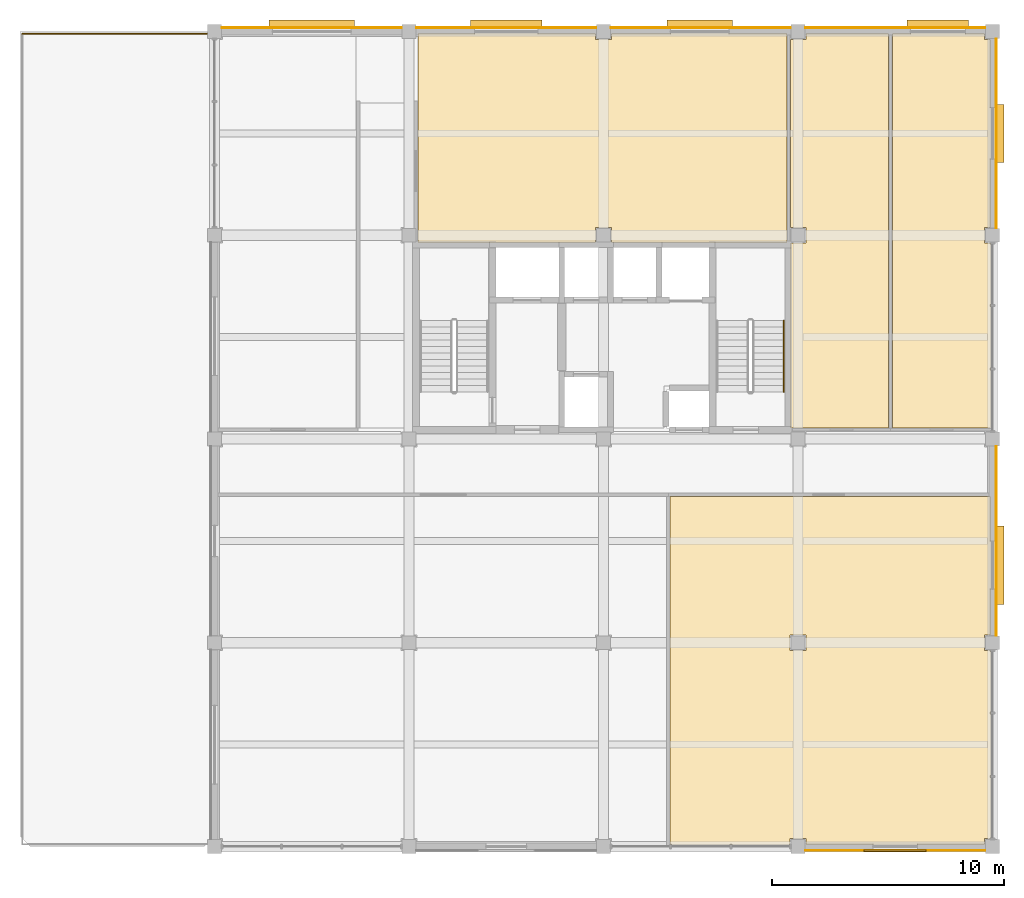
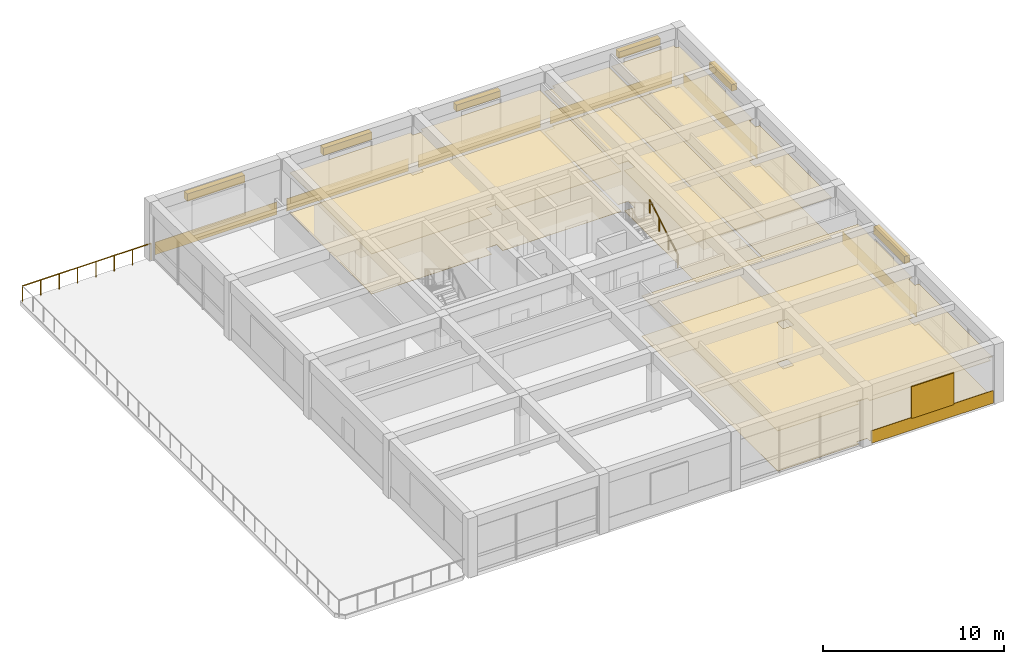
# One storey, part 10 of 10: 15 coverings, 7 shading devices, 2 railings.
"""IFC4 building model written with IfcOpenShell, lengths in metres."""

from ifc_helpers import new_model, si_unit, direction, frame, origin, origin_2d, place, context, subcontext, project, spatial, polyline, rectangle, circle, outline, extrude, material, layer, layer_set, type_object, element, save


model = new_model("IFC4")

# Units and contexts
model_context = context("Model", 3, precision=1e-05, world=origin(), true_north=direction((0.0, 1.0)))
body_context = subcontext(model_context, "Body", "Model", "MODEL_VIEW")
ifc_project = project(units=[si_unit("LENGTHUNIT", "METRE"), si_unit("AREAUNIT", "SQUARE_METRE"), si_unit("VOLUMEUNIT", "CUBIC_METRE"), si_unit("PLANEANGLEUNIT", "RADIAN"), si_unit("MASSUNIT", "GRAM", prefix="KILO")], contexts=[model_context])

# Site, building, storey
site_placement = place(None, origin())
site = spatial("IfcSite", under=ifc_project, at=site_placement, CompositionType="ELEMENT")
building_placement = place(site_placement, origin())
building = spatial("IfcBuilding", under=site, at=building_placement, Name="Kemercrest Conservatory and Botanical Centre", CompositionType="ELEMENT")
storey_placement = place(building_placement, frame((0.0, 0.0, 48.199951171875)))
storey = spatial("IfcBuildingStorey", under=building, at=storey_placement, Name="L12", CompositionType="ELEMENT", Elevation=48.199951171875)

# Coverings
ifc_material_1 = material(Name="Glazed turquoise ceramic tile spandrel", Category="masonry")
ifc_layer_1 = layer(ifc_material_1, 0.028076171875)
ifc_layer_set_1 = layer_set([ifc_layer_1], Name="Glazed turquoise ceramic tile spandrel")
covering_type_1 = type_object("IfcCoveringType", Name="CV-CLD028", PredefinedType="CLADDING", material=ifc_layer_set_1)
covering_1_placement = place(storey_placement, origin())
element("IfcCovering", 1, at=covering_1_placement, inside=storey, type_object=covering_type_1, Name="Exterior stone spandrel cladding (WAL:L12:EXT-313)", PredefinedType="CLADDING", context=body_context, shape_type="SweptSolid", body=[
    extrude(outline(polyline([(167.909912109375, 87.050048828125), (167.909912109375, 87.02197265625), (175.68994140625, 87.02197265625), (175.68994140625, 87.050048828125), (167.909912109375, 87.050048828125)])), origin(), (0.0, 0.0, 1.0), 0.85009765625),
])
covering_2_placement = place(storey_placement, origin())
element("IfcCovering", 2, at=covering_2_placement, inside=storey, type_object=covering_type_1, Name="Exterior stone spandrel cladding (WAL:L12:EXT-314)", PredefinedType="CLADDING", context=body_context, shape_type="SweptSolid", body=[
    extrude(outline(polyline([(176.14990234375, 96.31005859375), (176.177978515625, 96.31005859375), (176.177978515625, 104.489990234375), (176.14990234375, 104.489990234375), (176.14990234375, 96.31005859375)])), origin(), (0.0, 0.0, 1.0), 0.85009765625),
])
covering_3_placement = place(storey_placement, origin())
element("IfcCovering", 3, at=covering_3_placement, inside=storey, type_object=covering_type_1, Name="Exterior stone spandrel cladding (WAL:L12:EXT-315)", PredefinedType="CLADDING", context=body_context, shape_type="SweptSolid", body=[
    extrude(outline(polyline([(176.14990234375, 113.909912109375), (176.177978515625, 113.909912109375), (176.177978515625, 122.090087890625), (176.14990234375, 122.090087890625), (176.14990234375, 113.909912109375)])), origin(), (0.0, 0.0, 1.0), 0.85009765625),
])
covering_4_placement = place(storey_placement, origin())
element("IfcCovering", 4, at=covering_4_placement, inside=storey, type_object=covering_type_1, Name="Exterior stone spandrel cladding (WAL:L12:EXT-316)", PredefinedType="CLADDING", context=body_context, shape_type="SweptSolid", body=[
    extrude(outline(polyline([(175.68994140625, 122.550048828125), (175.68994140625, 122.577880859375), (167.909912109375, 122.577880859375), (167.909912109375, 122.550048828125), (175.68994140625, 122.550048828125)])), origin(), (0.0, 0.0, 1.0), 0.85009765625),
])
covering_5_placement = place(storey_placement, origin())
element("IfcCovering", 5, at=covering_5_placement, inside=storey, type_object=covering_type_1, Name="Exterior stone spandrel cladding (WAL:L12:EXT-317)", PredefinedType="CLADDING", context=body_context, shape_type="SweptSolid", body=[
    extrude(outline(polyline([(167.2900390625, 122.550048828125), (167.2900390625, 122.577880859375), (159.510009765625, 122.577880859375), (159.510009765625, 122.550048828125), (167.2900390625, 122.550048828125)])), origin(), (0.0, 0.0, 1.0), 0.85009765625),
])
covering_6_placement = place(storey_placement, origin())
element("IfcCovering", 6, at=covering_6_placement, inside=storey, type_object=covering_type_1, Name="Exterior stone spandrel cladding (WAL:L12:EXT-318)", PredefinedType="CLADDING", context=body_context, shape_type="SweptSolid", body=[
    extrude(outline(polyline([(158.889892578125, 122.550048828125), (158.889892578125, 122.577880859375), (151.110107421875, 122.577880859375), (151.110107421875, 122.550048828125), (158.889892578125, 122.550048828125)])), origin(), (0.0, 0.0, 1.0), 0.85009765625),
])
covering_7_placement = place(storey_placement, origin())
element("IfcCovering", 7, at=covering_7_placement, inside=storey, type_object=covering_type_1, Name="Exterior stone spandrel cladding (WAL:L12:EXT-319)", PredefinedType="CLADDING", context=body_context, shape_type="SweptSolid", body=[
    extrude(outline(polyline([(150.489990234375, 122.550048828125), (150.489990234375, 122.577880859375), (142.7099609375, 122.577880859375), (142.7099609375, 122.550048828125), (150.489990234375, 122.550048828125)])), origin(), (0.0, 0.0, 1.0), 0.85009765625),
])
ifc_material_2 = material(Name="Perforated acoustic gypsum and mineral-fibre suspended ceiling", Category="gypsum")
ifc_layer_2 = layer(ifc_material_2, 0.034912109375)
ifc_layer_set_2 = layer_set([ifc_layer_2], Name="Perforated acoustic gypsum and mineral-fibre suspended ceiling")
covering_type_2 = type_object("IfcCoveringType", Name="CV-CLG035", PredefinedType="CEILING", material=ifc_layer_set_2)
covering_8_placement = place(storey_placement, frame((0.0, 0.0, 2.699951171875)))
element("IfcCovering", 8, at=covering_8_placement, inside=storey, type_object=covering_type_2, Name="Visiting Fellows Lounge suspended acoustic ceiling", PredefinedType="CEILING", context=body_context, shape_type="SweptSolid", body=[
    extrude(outline(polyline([(167.260009765625, 87.5400390625), (167.93994140625, 87.5400390625), (167.93994140625, 87.280029296875), (175.659912109375, 87.280029296875), (175.659912109375, 87.5400390625), (175.919921875, 87.5400390625), (175.919921875, 95.659912109375), (175.659912109375, 95.659912109375), (175.659912109375, 96.340087890625), (175.919921875, 96.340087890625), (175.919921875, 102.320068359375), (162.080078125, 102.320068359375), (162.080078125, 87.280029296875), (167.260009765625, 87.280029296875), (167.260009765625, 87.5400390625)]), holes=[polyline([(167.260009765625, 96.340087890625), (167.93994140625, 96.340087890625), (167.93994140625, 95.659912109375), (167.260009765625, 95.659912109375), (167.260009765625, 96.340087890625)])]), origin(), (0.0, 0.0, 1.0), 0.03515625),
])
covering_9_placement = place(storey_placement, frame((0.0, 0.0, 2.699951171875)))
element("IfcCovering", 9, at=covering_9_placement, inside=storey, type_object=covering_type_2, Name="Fellowship Director Office suspended acoustic ceiling", PredefinedType="CEILING", context=body_context, shape_type="SweptSolid", body=[
    extrude(outline(polyline([(159.5400390625, 113.280029296875), (167.1201171875, 113.280029296875), (167.1201171875, 122.320068359375), (159.5400390625, 122.320068359375), (159.5400390625, 122.06005859375), (158.860107421875, 122.06005859375), (158.860107421875, 122.320068359375), (151.179931640625, 122.320068359375), (151.179931640625, 113.280029296875), (158.860107421875, 113.280029296875), (158.860107421875, 113.93994140625), (159.5400390625, 113.93994140625), (159.5400390625, 113.280029296875)])), origin(), (0.0, 0.0, 1.0), 0.03515625),
])
covering_10_placement = place(storey_placement, frame((0.0, 0.0, 2.699951171875)))
element("IfcCovering", 10, at=covering_10_placement, inside=storey, type_object=covering_type_2, Name="Public Washroom suspended acoustic ceiling", PredefinedType="CEILING", context=body_context, shape_type="SweptSolid", body=[
    extrude(outline(polyline([(167.280029296875, 105.280029296875), (171.52001953125, 105.280029296875), (171.52001953125, 122.320068359375), (167.93994140625, 122.320068359375), (167.93994140625, 122.06005859375), (167.280029296875, 122.06005859375), (167.280029296875, 113.93994140625), (167.93994140625, 113.93994140625), (167.93994140625, 113.260009765625), (167.280029296875, 113.260009765625), (167.280029296875, 105.280029296875)])), origin(), (0.0, 0.0, 1.0), 0.03515625),
])
covering_11_placement = place(storey_placement, frame((0.0, 0.0, 2.699951171875)))
element("IfcCovering", 11, at=covering_11_placement, inside=storey, type_object=covering_type_2, Name="Accessible Washroom suspended acoustic ceiling", PredefinedType="CEILING", context=body_context, shape_type="SweptSolid", body=[
    extrude(outline(polyline([(171.679931640625, 105.280029296875), (175.919921875, 105.280029296875), (175.919921875, 113.260009765625), (175.659912109375, 113.260009765625), (175.659912109375, 113.93994140625), (175.919921875, 113.93994140625), (175.919921875, 122.06005859375), (175.659912109375, 122.06005859375), (175.659912109375, 122.320068359375), (171.679931640625, 122.320068359375), (171.679931640625, 105.280029296875)])), origin(), (0.0, 0.0, 1.0), 0.03515625),
])
ifc_material_3 = material(Name="Polished limestone terrazzo and seamless laboratory epoxy flooring", Category="masonry")
ifc_layer_3 = layer(ifc_material_3, 0.02001953125)
ifc_layer_set_3 = layer_set([ifc_layer_3], Name="Polished limestone terrazzo and seamless laboratory epoxy flooring")
covering_type_3 = type_object("IfcCoveringType", Name="CV-FLR020", PredefinedType="FLOORING", material=ifc_layer_set_3)
covering_12_placement = place(storey_placement, origin())
element("IfcCovering", 12, at=covering_12_placement, inside=storey, type_object=covering_type_3, Name="Visiting Fellows Lounge floor finish", PredefinedType="FLOORING", context=body_context, shape_type="SweptSolid", body=[
    extrude(outline(polyline([(167.260009765625, 87.5400390625), (167.93994140625, 87.5400390625), (167.93994140625, 87.280029296875), (175.659912109375, 87.280029296875), (175.659912109375, 87.5400390625), (175.919921875, 87.5400390625), (175.919921875, 95.659912109375), (175.659912109375, 95.659912109375), (175.659912109375, 96.340087890625), (175.919921875, 96.340087890625), (175.919921875, 102.320068359375), (162.080078125, 102.320068359375), (162.080078125, 87.280029296875), (167.260009765625, 87.280029296875), (167.260009765625, 87.5400390625)]), holes=[polyline([(167.260009765625, 96.340087890625), (167.93994140625, 96.340087890625), (167.93994140625, 95.659912109375), (167.260009765625, 95.659912109375), (167.260009765625, 96.340087890625)])]), origin(), (0.0, 0.0, 1.0), 0.02001953125),
])
covering_13_placement = place(storey_placement, origin())
element("IfcCovering", 13, at=covering_13_placement, inside=storey, type_object=covering_type_3, Name="Fellowship Director Office floor finish", PredefinedType="FLOORING", context=body_context, shape_type="SweptSolid", body=[
    extrude(outline(polyline([(159.5400390625, 113.280029296875), (167.1201171875, 113.280029296875), (167.1201171875, 122.320068359375), (159.5400390625, 122.320068359375), (159.5400390625, 122.06005859375), (158.860107421875, 122.06005859375), (158.860107421875, 122.320068359375), (151.179931640625, 122.320068359375), (151.179931640625, 113.280029296875), (158.860107421875, 113.280029296875), (158.860107421875, 113.93994140625), (159.5400390625, 113.93994140625), (159.5400390625, 113.280029296875)])), origin(), (0.0, 0.0, 1.0), 0.02001953125),
])
covering_14_placement = place(storey_placement, origin())
element("IfcCovering", 14, at=covering_14_placement, inside=storey, type_object=covering_type_3, Name="Public Washroom floor finish", PredefinedType="FLOORING", context=body_context, shape_type="SweptSolid", body=[
    extrude(outline(polyline([(167.280029296875, 105.280029296875), (171.52001953125, 105.280029296875), (171.52001953125, 122.320068359375), (167.93994140625, 122.320068359375), (167.93994140625, 122.06005859375), (167.280029296875, 122.06005859375), (167.280029296875, 113.93994140625), (167.93994140625, 113.93994140625), (167.93994140625, 113.260009765625), (167.280029296875, 113.260009765625), (167.280029296875, 105.280029296875)])), origin(), (0.0, 0.0, 1.0), 0.02001953125),
])
covering_15_placement = place(storey_placement, origin())
element("IfcCovering", 15, at=covering_15_placement, inside=storey, type_object=covering_type_3, Name="Accessible Washroom floor finish", PredefinedType="FLOORING", context=body_context, shape_type="SweptSolid", body=[
    extrude(outline(polyline([(171.679931640625, 105.280029296875), (175.919921875, 105.280029296875), (175.919921875, 113.260009765625), (175.659912109375, 113.260009765625), (175.659912109375, 113.93994140625), (175.919921875, 113.93994140625), (175.919921875, 122.06005859375), (175.659912109375, 122.06005859375), (175.659912109375, 122.320068359375), (171.679931640625, 122.320068359375), (171.679931640625, 105.280029296875)])), origin(), (0.0, 0.0, 1.0), 0.02001953125),
])

# Railings
ifc_material_4 = material(Name="Architectural bronze-anodized steel balustrade", Category="steel")
railing_type_1 = type_object("IfcRailingType", Name="GR-TER110", PredefinedType="GUARDRAIL", material=ifc_material_4)
railing_1_placement = place(storey_placement, frame((134.10009765625, 122.300048828125, 0.0)))
element("IfcRailing", 16, at=railing_1_placement, inside=storey, type_object=railing_type_1, Name="Safety guardrail GR-TER110 (V4-L12W-3)", PredefinedType="GUARDRAIL", context=body_context, shape_type="SweptSolid", body=[
    extrude(circle(Radius=0.02392578125, at=origin_2d()), frame((0.0, 0.0, 1.076171875), z_axis=(1.0, 0.0, 0.0), x_axis=(0.0, 1.0, 0.0)), (0.0, 0.0, 1.0), 8.199951171875),
    extrude(circle(Radius=0.02099609375, at=origin_2d()), origin(), (0.0, 0.0, 1.0), 1.052001953125),
    extrude(circle(Radius=0.02099609375, at=origin_2d()), frame((1.17138671875, 0.0, 0.0)), (0.0, 0.0, 1.0), 1.052001953125),
    extrude(circle(Radius=0.02099609375, at=origin_2d()), frame((2.3427734375, 0.0, 0.0)), (0.0, 0.0, 1.0), 1.052001953125),
    extrude(circle(Radius=0.02099609375, at=origin_2d()), frame((3.51416015625, 0.0, 0.0)), (0.0, 0.0, 1.0), 1.052001953125),
    extrude(circle(Radius=0.02099609375, at=origin_2d()), frame((4.685791015625, 0.0, 0.0)), (0.0, 0.0, 1.0), 1.052001953125),
    extrude(circle(Radius=0.02099609375, at=origin_2d()), frame((5.857177734375, 0.0, 0.0)), (0.0, 0.0, 1.0), 1.052001953125),
    extrude(circle(Radius=0.02099609375, at=origin_2d()), frame((7.028564453125, 0.0, 0.0)), (0.0, 0.0, 1.0), 1.052001953125),
    extrude(circle(Radius=0.02099609375, at=origin_2d()), frame((8.199951171875, 0.0, 0.0)), (0.0, 0.0, 1.0), 1.052001953125),
])
ifc_material_5 = material(Name="Brushed stainless steel wall-mounted handrail", Category="steel")
railing_type_2 = type_object("IfcRailingType", Name="HR-STR090", PredefinedType="HANDRAIL", material=ifc_material_5)
railing_2_placement = place(storey_placement, frame((166.989990234375, 106.840087890625, 0.166748046875)))
element("IfcRailing", 17, at=railing_2_placement, inside=storey, type_object=railing_type_2, Name="L12 ST-V4B stair handrail 1", PredefinedType="HANDRAIL", context=body_context, shape_type="SweptSolid", body=[
    extrude(circle(Radius=0.02392578125, at=origin_2d()), frame((0.0, 0.0, 0.8759765625), z_axis=(0.0, 0.859290745958, 0.51148745235), x_axis=(-1.0, 0.0, 0.0)), (0.0, 0.0, 1.0), 3.584228515625),
    extrude(circle(Radius=0.02099609375, at=origin_2d()), origin(), (0.0, 0.0, 1.0), 0.851806640625),
    extrude(circle(Radius=0.02099609375, at=origin_2d()), frame((0.0, 1.026611328125, 0.611083984375)), (0.0, 0.0, 1.0), 0.851806640625),
    extrude(circle(Radius=0.02099609375, at=origin_2d()), frame((0.0, 2.05322265625, 1.22216796875)), (0.0, 0.0, 1.0), 0.851806640625),
    extrude(circle(Radius=0.02099609375, at=origin_2d()), frame((0.0, 3.079833984375, 1.833251953125)), (0.0, 0.0, 1.0), 0.851806640625),
])

# Shading devices
ifc_material_6 = material(Name="Architectural bronze-anodized extruded aluminium", Category="aluminium")
shading_device_type_1 = type_object("IfcShadingDeviceType", Name="SH-JL01", PredefinedType="JALOUSIE", material=ifc_material_6)
shading_device_1_placement = place(storey_placement, frame((176.322998046875, 118.0, 2.8349609375), z_axis=(0.0, 0.0, 1.0), x_axis=(0.0, 1.0, 0.0)))
element("IfcShadingDevice", 18, at=shading_device_1_placement, inside=storey, type_object=shading_device_type_1, Name="Solar control louvre visor SH-JL01 (WIN:L12:EXT-315)", PredefinedType="JALOUSIE", context=body_context, shape_type="SweptSolid", body=[
    extrude(rectangle(XDim=2.5, YDim=0.35009765625, at=origin_2d()), origin(), (0.0, 0.0, 1.0), 0.449951171875),
])
shading_device_type_2 = type_object("IfcShadingDeviceType", Name="SH-JL02", PredefinedType="JALOUSIE", material=ifc_material_6)
shading_device_2_placement = place(storey_placement, frame((173.64501953125, 122.722900390625, 2.875), z_axis=(0.0, 0.0, 1.0), x_axis=(-1.0, 0.0, 0.0)))
element("IfcShadingDevice", 19, at=shading_device_2_placement, inside=storey, type_object=shading_device_type_2, Name="Solar control louvre visor SH-JL02 (WIN:L12:EXT-316)", PredefinedType="JALOUSIE", context=body_context, shape_type="SweptSolid", body=[
    extrude(rectangle(XDim=2.659912109375, YDim=0.35009765625, at=origin_2d()), origin(), (0.0, 0.0, 1.0), 0.449951171875),
])
shading_device_type_3 = type_object("IfcShadingDeviceType", Name="SH-JL03", PredefinedType="JALOUSIE", material=ifc_material_6)
shading_device_3_placement = place(storey_placement, frame((163.35498046875, 122.722900390625, 2.9150390625), z_axis=(0.0, 0.0, 1.0), x_axis=(-1.0, 0.0, 0.0)))
element("IfcShadingDevice", 20, at=shading_device_3_placement, inside=storey, type_object=shading_device_type_3, Name="Solar control louvre visor SH-JL03 (WIN:L12:EXT-317)", PredefinedType="JALOUSIE", context=body_context, shape_type="SweptSolid", body=[
    extrude(rectangle(XDim=2.820068359375, YDim=0.35009765625, at=origin_2d()), origin(), (0.0, 0.0, 1.0), 0.449951171875),
])
shading_device_type_4 = type_object("IfcShadingDeviceType", Name="SH-JL04", PredefinedType="JALOUSIE", material=ifc_material_6)
shading_device_4_placement = place(storey_placement, frame((155.0, 122.722900390625, 2.929931640625), z_axis=(0.0, 0.0, 1.0), x_axis=(-1.0, 0.0, 0.0)))
element("IfcShadingDevice", 21, at=shading_device_4_placement, inside=storey, type_object=shading_device_type_4, Name="Solar control louvre visor SH-JL04 (WIN:L12:EXT-318)", PredefinedType="JALOUSIE", context=body_context, shape_type="SweptSolid", body=[
    extrude(rectangle(XDim=3.10009765625, YDim=0.35009765625, at=origin_2d()), origin(), (0.0, 0.0, 1.0), 0.5),
])
shading_device_type_5 = type_object("IfcShadingDeviceType", Name="SH-JL05", PredefinedType="JALOUSIE", material=ifc_material_6)
shading_device_5_placement = place(storey_placement, frame((176.322998046875, 99.35498046875, 2.77001953125), z_axis=(0.0, 0.0, 1.0), x_axis=(0.0, 1.0, 0.0)))
element("IfcShadingDevice", 22, at=shading_device_5_placement, inside=storey, type_object=shading_device_type_5, Name="Solar control louvre visor SH-JL05 (WIN:L12:EXT-314)", PredefinedType="JALOUSIE", context=body_context, shape_type="SweptSolid", body=[
    extrude(rectangle(XDim=3.39990234375, YDim=0.35009765625, at=origin_2d()), origin(), (0.0, 0.0, 1.0), 0.5),
])
shading_device_6_placement = place(storey_placement, frame((146.60009765625, 122.722900390625, 2.880126953125), z_axis=(0.0, 0.0, 1.0), x_axis=(-1.0, 0.0, 0.0)))
element("IfcShadingDevice", 23, at=shading_device_6_placement, inside=storey, type_object=shading_device_type_5, Name="Solar control louvre visor SH-JL05 (WIN:L12:EXT-319)", PredefinedType="JALOUSIE", context=body_context, shape_type="SweptSolid", body=[
    extrude(rectangle(XDim=3.679931640625, YDim=0.35009765625, at=origin_2d()), origin(), (0.0, 0.0, 1.0), 0.5),
])
ifc_material_7 = material(Name="Perforated bronze-anodized aluminium", Category="aluminium")
shading_device_type_6 = type_object("IfcShadingDeviceType", Name="SH-MS04", PredefinedType="USERDEFINED", material=ifc_material_7)
shading_device_7_placement = place(storey_placement, frame((171.800048828125, 87.011962890625, 0.8203125), z_axis=(0.0, 0.0, 1.0), x_axis=(1.0, 0.0, 0.0)))
element("IfcShadingDevice", 24, at=shading_device_7_placement, inside=storey, type_object=shading_device_type_6, Name="Ottoman mashrabiya perforated screen SH-MS04 (WIN:L12:EXT-313)", ObjectType="MASHRABIYA SCREEN", PredefinedType="USERDEFINED", context=body_context, shape_type="SweptSolid", body=[
    extrude(rectangle(XDim=2.699951171875, YDim=0.080078125, at=origin_2d()), origin(), (0.0, 0.0, 1.0), 2.139892578125),
])

save(model, "model.ifc")
